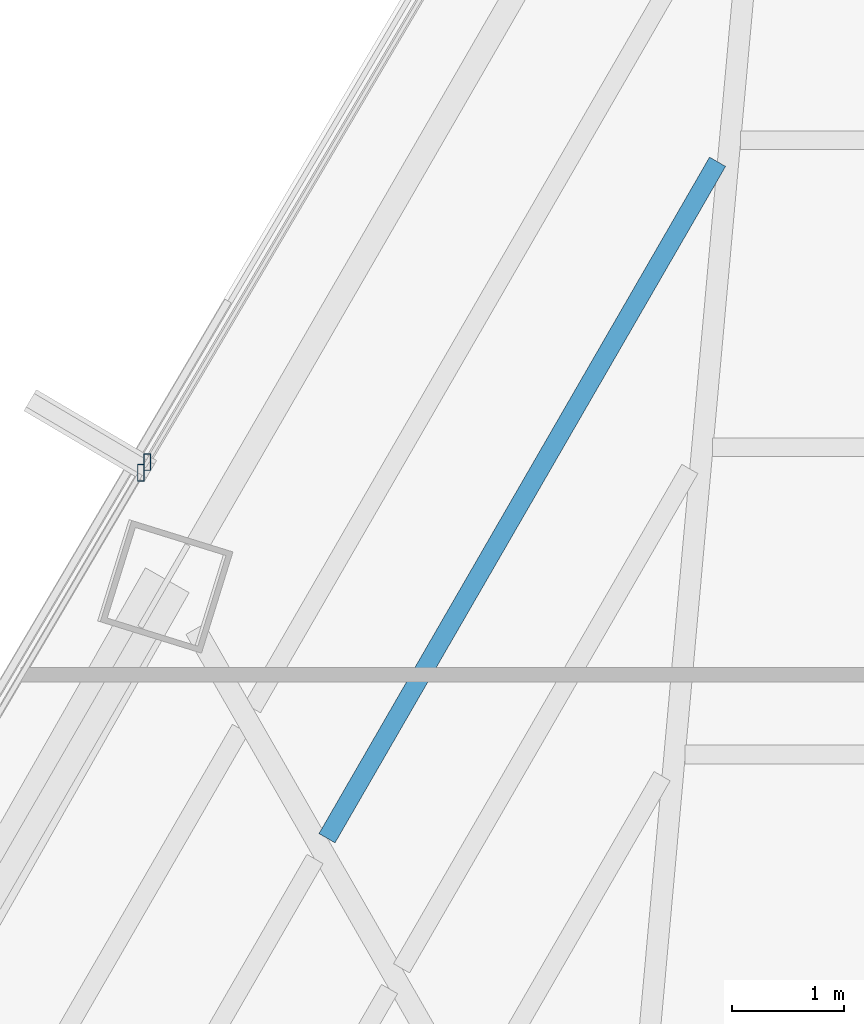
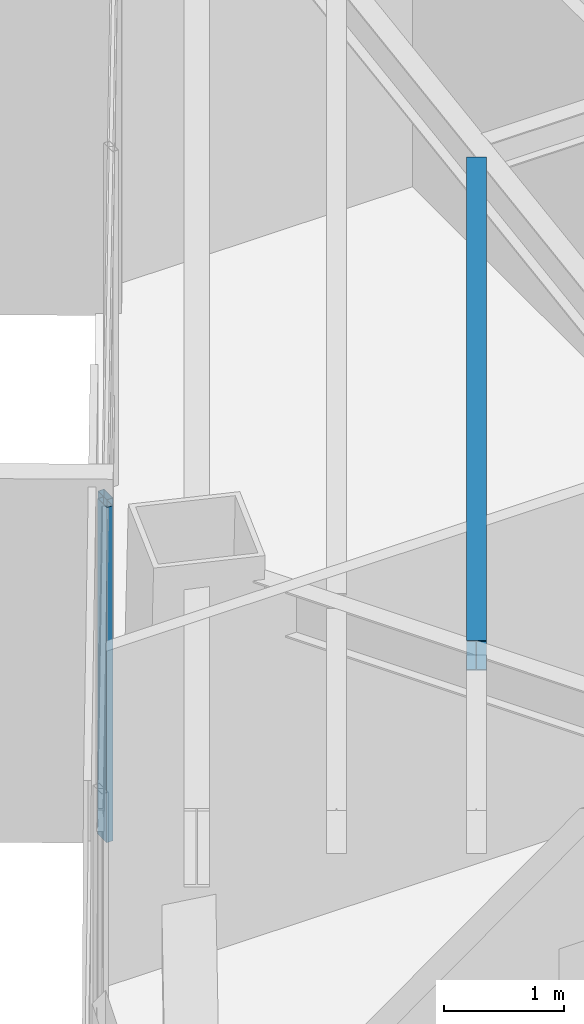
# One storey, part 26 of 41: 2 members, 1 beam, 2 elements without a shape of their own.
"""IFC4 building model written with IfcOpenShell, lengths in metres."""

from ifc_helpers import new_model, si_unit, direction, frame, origin, origin_2d, place, context, subcontext, project, spatial, hollow_rectangle, i_section, extrude, source, transform, mapped, material, material_profile, profile_set, type_object, type_shapes, element, aggregate, save


model = new_model("IFC4")

# Units and contexts
model_context = context("Model", 3, precision=1e-05, world=origin(), true_north=direction((0.0, 1.0)))
body_context = subcontext(model_context, "Body", "Model", "MODEL_VIEW")
ifc_project = project(units=[si_unit("LENGTHUNIT", "METRE"), si_unit("AREAUNIT", "SQUARE_METRE"), si_unit("VOLUMEUNIT", "CUBIC_METRE"), si_unit("PLANEANGLEUNIT", "RADIAN"), si_unit("MASSUNIT", "GRAM", prefix="KILO")], contexts=[model_context])

# Site, building, storey
site_placement = place(None, origin())
site = spatial("IfcSite", under=ifc_project, at=site_placement, CompositionType="ELEMENT")
building_placement = place(site_placement, origin())
building = spatial("IfcBuilding", under=site, at=building_placement, Name="Caelisora Broadcast Tower", CompositionType="ELEMENT")
storey_placement = place(building_placement, frame((0.0, 0.0, 162.14990234375)))
storey = spatial("IfcBuildingStorey", under=building, at=storey_placement, Name="L42", CompositionType="ELEMENT", Elevation=162.14990234375)

# Beam
ifc_material_1 = material(Name="Steel Grade 350 (AS/NZS 3679.1)", Category="steel")
ifc_material_profile_1 = material_profile(ifc_material_1, i_section(OverallWidth=0.166015625, OverallDepth=0.30712890625, WebThickness=0.006591796875, FlangeThickness=0.01171875, at=origin_2d()), Name="Steel Grade 350 (AS/NZS 3679.1)")
ifc_profile_set_1 = profile_set([ifc_material_profile_1], Name="Steel Grade 350 (AS/NZS 3679.1)")
beam_type = type_object("IfcBeamType", Name="SB03", PredefinedType="JOIST", material=ifc_profile_set_1)
shared_shape_1 = source(origin(), body_context, "Body", "SweptSolid", [
    extrude(i_section(OverallWidth=0.166015625, OverallDepth=0.30712890625, WebThickness=0.006591796875, FlangeThickness=0.01171875, at=origin_2d()), origin(), (0.0, 0.0, 1.0), 6.998779296875),
])
type_shapes(beam_type, [shared_shape_1])
beam_placement = place(storey_placement, frame((31.381103515625, 40.81591796875, 3.24658203125), z_axis=(-0.500018371667, -0.866014796638, 0.0), x_axis=(0.866014796638, -0.500018371667, 0.0)))
element("IfcBeam", 1, at=beam_placement, inside=storey, type_object=beam_type, Name="L42 beam SB03", PredefinedType="JOIST", context=body_context, shape_type="MappedRepresentation", body=[
    mapped(shared_shape_1, transform((0.0, 0.0, 0.0), scale=1.0)),
])

# Curtain wall, member
ifc_material_2 = material(Name="Unitised Aluminium Insulated Shadow-Box Spandrel Curtain Wall", Category="aluminium")
curtain_wall_type_1 = type_object("IfcCurtainWallType", Name="CW-SP2", PredefinedType="NOTDEFINED", material=ifc_material_2)
curtain_wall_1_placement = place(storey_placement, origin())
curtain_wall_1 = element("IfcCurtainWall", 2, at=curtain_wall_1_placement, inside=storey, type_object=curtain_wall_type_1, Name="L42 curtain wall CW-SP2", PredefinedType="NOTDEFINED")
ifc_material_3 = material(Name="Aluminium 6063-T6 Anodised Terracotta Bronze", Category="aluminium")
ifc_material_profile_2 = material_profile(ifc_material_3, hollow_rectangle(XDim=0.06005859375, YDim=0.14990234375, WallThickness=0.00341796875, at=origin_2d()), Name="Aluminium 6063-T6 Anodised Terracotta Bronze")
ifc_profile_set_2 = profile_set([ifc_material_profile_2], Name="Aluminium 6063-T6 Anodised Terracotta Bronze")
member_type = type_object("IfcMemberType", Name="CWM-03", PredefinedType="MULLION", material=ifc_profile_set_2)
shared_shape_2 = source(origin(), body_context, "Body", "SweptSolid", [
    extrude(hollow_rectangle(XDim=0.06005859375, YDim=0.14990234375, WallThickness=0.00341796875, at=origin_2d()), origin(), (0.0, 0.0, 1.0), 3.400146484375),
])
type_shapes(member_type, [shared_shape_2])
member_1_placement = place(storey_placement, frame((26.214599609375, 38.0302734375, 0.0), z_axis=(0.0, 0.0, 1.0), x_axis=(1.0, 0.0, 0.0)))
member_1 = element("IfcMember", 3, at=member_1_placement, type_object=member_type, Name="L42-CW-B10 mullion #3", PredefinedType="MULLION", context=body_context, shape_type="MappedRepresentation", body=[
    mapped(shared_shape_2, transform((0.0, 0.0, 0.0), scale=1.0)),
])
aggregate(curtain_wall_1, [member_1])

ifc_material_4 = material(Name="Unitised Aluminium and Low-E Glass Curtain Wall", Category="glass")
curtain_wall_type_2 = type_object("IfcCurtainWallType", Name="CW-Z3", PredefinedType="NOTDEFINED", material=ifc_material_4)
curtain_wall_2_placement = place(storey_placement, origin())
curtain_wall_2 = element("IfcCurtainWall", 4, at=curtain_wall_2_placement, inside=storey, type_object=curtain_wall_type_2, Name="L42 curtain wall CW-Z3", PredefinedType="NOTDEFINED")
member_2_placement = place(storey_placement, frame((26.2705078125, 38.125, 0.0), z_axis=(0.0, 0.0, 1.0), x_axis=(1.0, 0.0, 0.0)))
member_2 = element("IfcMember", 5, at=member_2_placement, type_object=member_type, Name="L42-CW-B11 mullion #0", PredefinedType="MULLION", context=body_context, shape_type="MappedRepresentation", body=[
    mapped(shared_shape_2, transform((0.0, 0.0, 0.0), scale=1.0)),
])
aggregate(curtain_wall_2, [member_2])

save(model, "model.ifc")
